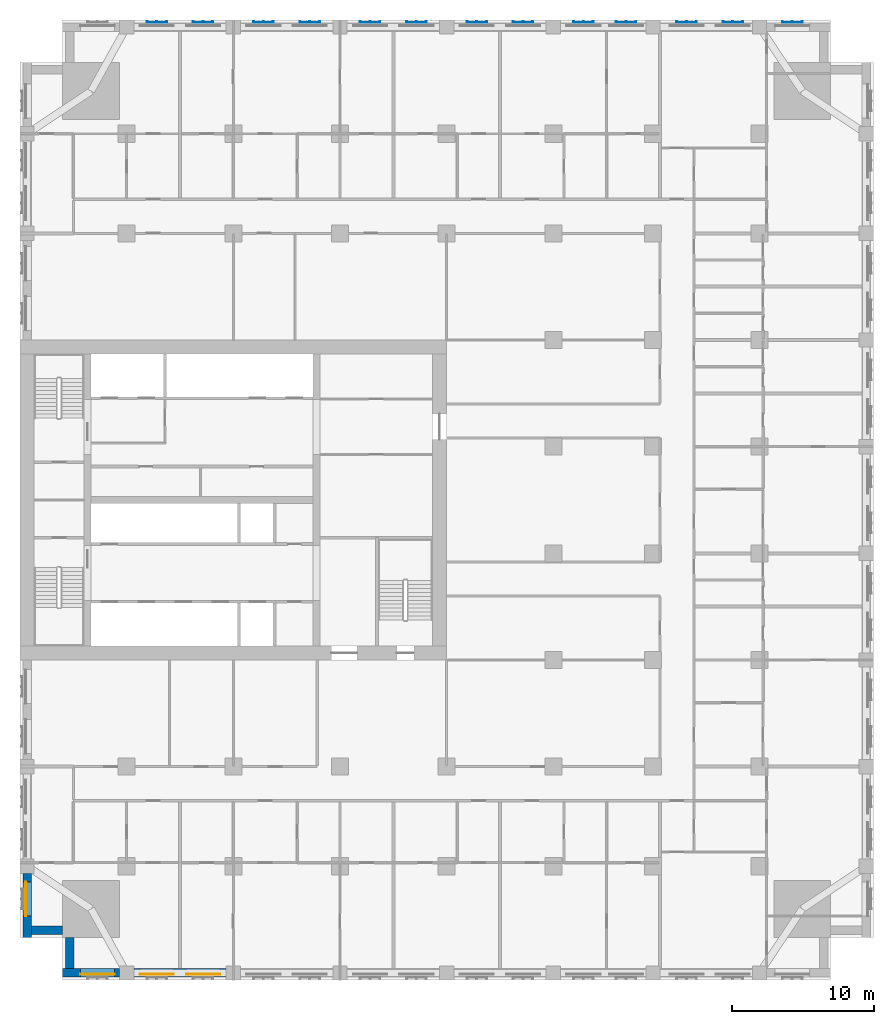
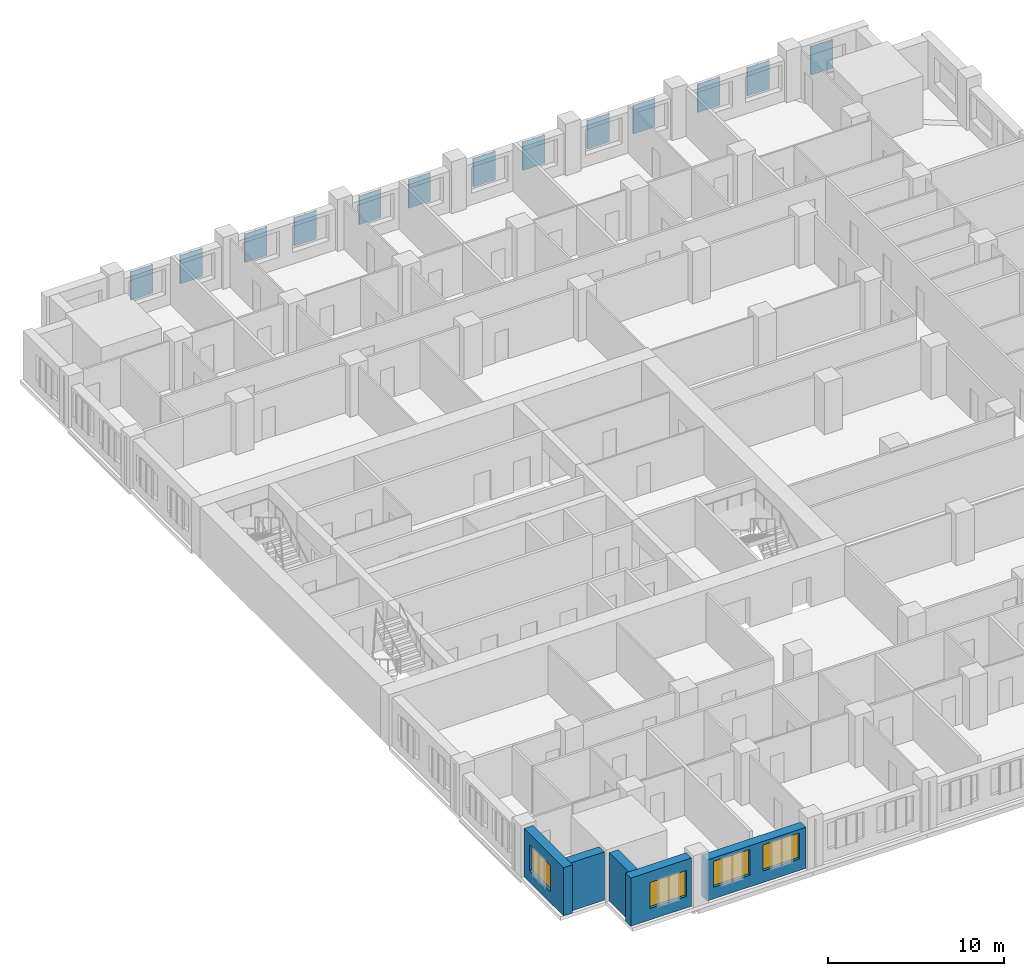
# One storey, part 3 of 14: 13 plates, 5 walls, 4 windows, 4 openings.
"""IFC4 building model written with IfcOpenShell, lengths in metres."""

from ifc_helpers import new_model, si_unit, direction, frame, frame_2d, origin, place, context, subcontext, project, spatial, polyline, rectangle, outline, extrude, material, layer, layer_set, type_object, element, fill, save


model = new_model("IFC4")

# Units and contexts
model_context = context("Model", 3, precision=1e-05, world=origin(), true_north=direction((0.0, 1.0)))
body_context = subcontext(model_context, "Body", "Model", "MODEL_VIEW")
ifc_project = project(units=[si_unit("LENGTHUNIT", "METRE"), si_unit("AREAUNIT", "SQUARE_METRE"), si_unit("VOLUMEUNIT", "CUBIC_METRE"), si_unit("PLANEANGLEUNIT", "RADIAN"), si_unit("MASSUNIT", "GRAM", prefix="KILO")], contexts=[model_context])

# Site, building, storey
site_placement = place(None, origin())
site = spatial("IfcSite", under=ifc_project, at=site_placement, CompositionType="ELEMENT")
building_placement = place(site_placement, origin())
building = spatial("IfcBuilding", under=site, at=building_placement, Name="Tamorin Gate", CompositionType="ELEMENT")
storey_placement = place(building_placement, frame((0.0, 0.0, 41.199951171875)))
storey = spatial("IfcBuildingStorey", under=building, at=storey_placement, Name="L08", CompositionType="ELEMENT", Elevation=41.199951171875)

# Plates
ifc_material_1 = material(Name="Perforated pale aluminium sheet", Category="aluminium")
ifc_layer_1 = layer(ifc_material_1, 0.0400390625)
ifc_layer_set_1 = layer_set([ifc_layer_1], Name="Pale metal solar screen 1440")
plate_type = type_object("IfcPlateType", Name="Pale metal solar screen 1440", PredefinedType="SHEET", material=ifc_layer_set_1)
plate_1_placement = place(storey_placement, frame((0.0, 0.0, 0.7099609375)))
element("IfcPlate", 1, at=plate_1_placement, inside=storey, type_object=plate_type, Name="Perforated solar screen", PredefinedType="SHEET", context=body_context, shape_type="SweptSolid", body=[
    extrude(outline(polyline([(85.02001953125, 104.840087890625), (85.02001953125, 104.800048828125), (84.9599609375, 104.800048828125), (84.330078125, 104.800048828125), (84.27001953125, 104.800048828125), (83.639892578125, 104.800048828125), (83.580078125, 104.800048828125), (83.580078125, 104.840087890625), (83.580078125, 104.89990234375), (83.639892578125, 104.89990234375), (83.639892578125, 104.840087890625), (84.27001953125, 104.840087890625), (84.27001953125, 104.89990234375), (84.330078125, 104.89990234375), (84.330078125, 104.840087890625), (84.9599609375, 104.840087890625), (84.9599609375, 104.89990234375), (85.02001953125, 104.89990234375), (85.02001953125, 104.840087890625)])), origin(), (0.0, 0.0, 1.0), 1.97998046875),
])
plate_2_placement = place(storey_placement, frame((0.0, 0.0, 0.7099609375)))
element("IfcPlate", 2, at=plate_2_placement, inside=storey, type_object=plate_type, Name="Perforated solar screen", PredefinedType="SHEET", context=body_context, shape_type="SweptSolid", body=[
    extrude(outline(polyline([(77.594970703125, 104.840087890625), (77.594970703125, 104.800048828125), (77.534912109375, 104.800048828125), (76.905029296875, 104.800048828125), (76.844970703125, 104.800048828125), (76.215087890625, 104.800048828125), (76.155029296875, 104.800048828125), (76.155029296875, 104.840087890625), (76.155029296875, 104.89990234375), (76.215087890625, 104.89990234375), (76.215087890625, 104.840087890625), (76.844970703125, 104.840087890625), (76.844970703125, 104.89990234375), (76.905029296875, 104.89990234375), (76.905029296875, 104.840087890625), (77.534912109375, 104.840087890625), (77.534912109375, 104.89990234375), (77.594970703125, 104.89990234375), (77.594970703125, 104.840087890625)])), origin(), (0.0, 0.0, 1.0), 1.97998046875),
])
plate_3_placement = place(storey_placement, frame((0.0, 0.0, 0.7099609375)))
element("IfcPlate", 3, at=plate_3_placement, inside=storey, type_object=plate_type, Name="Perforated solar screen", PredefinedType="SHEET", context=body_context, shape_type="SweptSolid", body=[
    extrude(outline(polyline([(80.844970703125, 104.840087890625), (80.844970703125, 104.800048828125), (80.784912109375, 104.800048828125), (80.155029296875, 104.800048828125), (80.094970703125, 104.800048828125), (79.465087890625, 104.800048828125), (79.405029296875, 104.800048828125), (79.405029296875, 104.800048828125), (79.405029296875, 104.840087890625), (79.405029296875, 104.840087890625), (79.405029296875, 104.89990234375), (79.465087890625, 104.89990234375), (79.465087890625, 104.840087890625), (80.094970703125, 104.840087890625), (80.094970703125, 104.89990234375), (80.155029296875, 104.89990234375), (80.155029296875, 104.840087890625), (80.784912109375, 104.840087890625), (80.784912109375, 104.89990234375), (80.844970703125, 104.89990234375), (80.844970703125, 104.840087890625)])), origin(), (0.0, 0.0, 1.0), 1.97998046875),
])
plate_4_placement = place(storey_placement, frame((0.0, 0.0, 0.7099609375)))
element("IfcPlate", 4, at=plate_4_placement, inside=storey, type_object=plate_type, Name="Perforated solar screen", PredefinedType="SHEET", context=body_context, shape_type="SweptSolid", body=[
    extrude(outline(polyline([(70.344970703125, 104.840087890625), (70.344970703125, 104.800048828125), (70.284912109375, 104.800048828125), (69.655029296875, 104.800048828125), (69.594970703125, 104.800048828125), (68.965087890625, 104.800048828125), (68.905029296875, 104.800048828125), (68.905029296875, 104.840087890625), (68.905029296875, 104.89990234375), (68.965087890625, 104.89990234375), (68.965087890625, 104.840087890625), (69.594970703125, 104.840087890625), (69.594970703125, 104.89990234375), (69.655029296875, 104.89990234375), (69.655029296875, 104.840087890625), (70.284912109375, 104.840087890625), (70.284912109375, 104.89990234375), (70.344970703125, 104.89990234375), (70.344970703125, 104.840087890625)])), origin(), (0.0, 0.0, 1.0), 1.97998046875),
])
plate_5_placement = place(storey_placement, frame((0.0, 0.0, 0.7099609375)))
element("IfcPlate", 5, at=plate_5_placement, inside=storey, type_object=plate_type, Name="Perforated solar screen", PredefinedType="SHEET", context=body_context, shape_type="SweptSolid", body=[
    extrude(outline(polyline([(73.344970703125, 104.840087890625), (73.344970703125, 104.800048828125), (73.284912109375, 104.800048828125), (72.655029296875, 104.800048828125), (72.594970703125, 104.800048828125), (71.965087890625, 104.800048828125), (71.905029296875, 104.800048828125), (71.905029296875, 104.840087890625), (71.905029296875, 104.89990234375), (71.965087890625, 104.89990234375), (71.965087890625, 104.840087890625), (72.594970703125, 104.840087890625), (72.594970703125, 104.89990234375), (72.655029296875, 104.89990234375), (72.655029296875, 104.840087890625), (73.284912109375, 104.840087890625), (73.284912109375, 104.89990234375), (73.344970703125, 104.89990234375), (73.344970703125, 104.840087890625)])), origin(), (0.0, 0.0, 1.0), 1.97998046875),
])
plate_6_placement = place(storey_placement, frame((0.0, 0.0, 0.7099609375)))
element("IfcPlate", 6, at=plate_6_placement, inside=storey, type_object=plate_type, Name="Perforated solar screen", PredefinedType="SHEET", context=body_context, shape_type="SweptSolid", body=[
    extrude(outline(polyline([(62.844970703125, 104.840087890625), (62.844970703125, 104.800048828125), (62.784912109375, 104.800048828125), (62.155029296875, 104.800048828125), (62.094970703125, 104.800048828125), (61.465087890625, 104.800048828125), (61.405029296875, 104.800048828125), (61.405029296875, 104.840087890625), (61.405029296875, 104.89990234375), (61.465087890625, 104.89990234375), (61.465087890625, 104.840087890625), (62.094970703125, 104.840087890625), (62.094970703125, 104.89990234375), (62.155029296875, 104.89990234375), (62.155029296875, 104.840087890625), (62.784912109375, 104.840087890625), (62.784912109375, 104.89990234375), (62.844970703125, 104.89990234375), (62.844970703125, 104.840087890625)])), origin(), (0.0, 0.0, 1.0), 1.97998046875),
])
plate_7_placement = place(storey_placement, frame((0.0, 0.0, 0.7099609375)))
element("IfcPlate", 7, at=plate_7_placement, inside=storey, type_object=plate_type, Name="Perforated solar screen", PredefinedType="SHEET", context=body_context, shape_type="SweptSolid", body=[
    extrude(outline(polyline([(66.094970703125, 104.840087890625), (66.094970703125, 104.800048828125), (66.034912109375, 104.800048828125), (65.405029296875, 104.800048828125), (65.344970703125, 104.800048828125), (64.715087890625, 104.800048828125), (64.655029296875, 104.800048828125), (64.655029296875, 104.840087890625), (64.655029296875, 104.89990234375), (64.715087890625, 104.89990234375), (64.715087890625, 104.840087890625), (65.344970703125, 104.840087890625), (65.344970703125, 104.89990234375), (65.405029296875, 104.89990234375), (65.405029296875, 104.840087890625), (66.034912109375, 104.840087890625), (66.034912109375, 104.89990234375), (66.094970703125, 104.89990234375), (66.094970703125, 104.840087890625)])), origin(), (0.0, 0.0, 1.0), 1.97998046875),
])
plate_8_placement = place(storey_placement, frame((0.0, 0.0, 0.7099609375)))
element("IfcPlate", 8, at=plate_8_placement, inside=storey, type_object=plate_type, Name="Perforated solar screen", PredefinedType="SHEET", context=body_context, shape_type="SweptSolid", body=[
    extrude(outline(polyline([(55.344970703125, 104.840087890625), (55.344970703125, 104.800048828125), (55.284912109375, 104.800048828125), (54.655029296875, 104.800048828125), (54.594970703125, 104.800048828125), (53.965087890625, 104.800048828125), (53.905029296875, 104.800048828125), (53.905029296875, 104.840087890625), (53.905029296875, 104.89990234375), (53.965087890625, 104.89990234375), (53.965087890625, 104.840087890625), (54.594970703125, 104.840087890625), (54.594970703125, 104.89990234375), (54.655029296875, 104.89990234375), (54.655029296875, 104.840087890625), (55.284912109375, 104.840087890625), (55.284912109375, 104.89990234375), (55.344970703125, 104.89990234375), (55.344970703125, 104.840087890625)])), origin(), (0.0, 0.0, 1.0), 1.97998046875),
])
plate_9_placement = place(storey_placement, frame((0.0, 0.0, 0.7099609375)))
element("IfcPlate", 9, at=plate_9_placement, inside=storey, type_object=plate_type, Name="Perforated solar screen", PredefinedType="SHEET", context=body_context, shape_type="SweptSolid", body=[
    extrude(outline(polyline([(58.594970703125, 104.840087890625), (58.594970703125, 104.800048828125), (58.534912109375, 104.800048828125), (57.905029296875, 104.800048828125), (57.844970703125, 104.800048828125), (57.215087890625, 104.800048828125), (57.155029296875, 104.800048828125), (57.155029296875, 104.840087890625), (57.155029296875, 104.89990234375), (57.215087890625, 104.89990234375), (57.215087890625, 104.840087890625), (57.844970703125, 104.840087890625), (57.844970703125, 104.89990234375), (57.905029296875, 104.89990234375), (57.905029296875, 104.840087890625), (58.534912109375, 104.840087890625), (58.534912109375, 104.89990234375), (58.594970703125, 104.89990234375), (58.594970703125, 104.840087890625)])), origin(), (0.0, 0.0, 1.0), 1.97998046875),
])
plate_10_placement = place(storey_placement, frame((0.0, 0.0, 0.7099609375)))
element("IfcPlate", 10, at=plate_10_placement, inside=storey, type_object=plate_type, Name="Perforated solar screen", PredefinedType="SHEET", context=body_context, shape_type="SweptSolid", body=[
    extrude(outline(polyline([(47.844970703125, 104.840087890625), (47.844970703125, 104.800048828125), (47.784912109375, 104.800048828125), (47.155029296875, 104.800048828125), (47.094970703125, 104.800048828125), (46.465087890625, 104.800048828125), (46.405029296875, 104.800048828125), (46.405029296875, 104.840087890625), (46.405029296875, 104.89990234375), (46.465087890625, 104.89990234375), (46.465087890625, 104.840087890625), (47.094970703125, 104.840087890625), (47.094970703125, 104.89990234375), (47.155029296875, 104.89990234375), (47.155029296875, 104.840087890625), (47.784912109375, 104.840087890625), (47.784912109375, 104.89990234375), (47.844970703125, 104.89990234375), (47.844970703125, 104.840087890625)])), origin(), (0.0, 0.0, 1.0), 1.97998046875),
])
plate_11_placement = place(storey_placement, frame((0.0, 0.0, 0.7099609375)))
element("IfcPlate", 11, at=plate_11_placement, inside=storey, type_object=plate_type, Name="Perforated solar screen", PredefinedType="SHEET", context=body_context, shape_type="SweptSolid", body=[
    extrude(outline(polyline([(51.094970703125, 104.840087890625), (51.094970703125, 104.800048828125), (51.034912109375, 104.800048828125), (50.405029296875, 104.800048828125), (50.344970703125, 104.800048828125), (49.715087890625, 104.800048828125), (49.655029296875, 104.800048828125), (49.655029296875, 104.840087890625), (49.655029296875, 104.89990234375), (49.715087890625, 104.89990234375), (49.715087890625, 104.840087890625), (50.344970703125, 104.840087890625), (50.344970703125, 104.89990234375), (50.405029296875, 104.89990234375), (50.405029296875, 104.840087890625), (51.034912109375, 104.840087890625), (51.034912109375, 104.89990234375), (51.094970703125, 104.89990234375), (51.094970703125, 104.840087890625)])), origin(), (0.0, 0.0, 1.0), 1.97998046875),
])
plate_12_placement = place(storey_placement, frame((0.0, 0.0, 0.7099609375)))
element("IfcPlate", 12, at=plate_12_placement, inside=storey, type_object=plate_type, Name="Perforated solar screen", PredefinedType="SHEET", context=body_context, shape_type="SweptSolid", body=[
    extrude(outline(polyline([(40.344970703125, 104.840087890625), (40.344970703125, 104.800048828125), (40.284912109375, 104.800048828125), (39.655029296875, 104.800048828125), (39.594970703125, 104.800048828125), (38.965087890625, 104.800048828125), (38.905029296875, 104.800048828125), (38.905029296875, 104.840087890625), (38.905029296875, 104.89990234375), (38.965087890625, 104.89990234375), (38.965087890625, 104.840087890625), (39.594970703125, 104.840087890625), (39.594970703125, 104.89990234375), (39.655029296875, 104.89990234375), (39.655029296875, 104.840087890625), (40.284912109375, 104.840087890625), (40.284912109375, 104.89990234375), (40.344970703125, 104.89990234375), (40.344970703125, 104.840087890625)])), origin(), (0.0, 0.0, 1.0), 1.97998046875),
])
plate_13_placement = place(storey_placement, frame((0.0, 0.0, 0.7099609375)))
element("IfcPlate", 13, at=plate_13_placement, inside=storey, type_object=plate_type, Name="Perforated solar screen", PredefinedType="SHEET", context=body_context, shape_type="SweptSolid", body=[
    extrude(outline(polyline([(43.594970703125, 104.840087890625), (43.594970703125, 104.800048828125), (43.534912109375, 104.800048828125), (42.905029296875, 104.800048828125), (42.844970703125, 104.800048828125), (42.215087890625, 104.800048828125), (42.155029296875, 104.800048828125), (42.155029296875, 104.840087890625), (42.155029296875, 104.89990234375), (42.215087890625, 104.89990234375), (42.215087890625, 104.840087890625), (42.844970703125, 104.840087890625), (42.844970703125, 104.89990234375), (42.905029296875, 104.89990234375), (42.905029296875, 104.840087890625), (43.534912109375, 104.840087890625), (43.534912109375, 104.89990234375), (43.594970703125, 104.89990234375), (43.594970703125, 104.840087890625)])), origin(), (0.0, 0.0, 1.0), 1.97998046875),
])

# Wall, opening, window
ifc_material_2 = material(Name="Precast concrete C40/50", Category="concrete")
ifc_layer_2 = layer(ifc_material_2, 0.60009765625)
ifc_layer_set_2 = layer_set([ifc_layer_2], Name="Precast concrete C40/50")
wall_type = type_object("IfcWallType", Name="Board-marked concrete facade panel 600", PredefinedType="SOLIDWALL", material=ifc_layer_set_2)
wall_1_placement = place(storey_placement, frame((33.0, 38.0, 0.0), z_axis=(0.0, 0.0, 1.0), x_axis=(1.0, 0.0, 0.0)))
wall_1 = element("IfcWall", 14, at=wall_1_placement, inside=storey, type_object=wall_type, Name="Facade panel", PredefinedType="SOLIDWALL", context=body_context, shape_type="SweptSolid", body=[
    extrude(rectangle(XDim=4.0, YDim=0.60009765625, at=frame_2d((2.0, 0.0))), origin(), (0.0, 0.0, 1.0), 3.35009765625),
])
opening_1_placement = place(wall_1_placement, frame((1.25, 0.0, 0.800048828125)))
opening_1 = element("IfcOpeningElement", 15, at=opening_1_placement, cuts=wall_1, Name="Opening WN1", PredefinedType="OPENING", context=body_context, shape_type="SweptSolid", body=[
    extrude(rectangle(XDim=2.39990234375, YDim=1.800048828125, at=frame_2d((1.199951171875, 0.89990234375))), frame((0.0, 0.31005859375, 0.0), z_axis=(0.0, -1.0, 0.0), x_axis=(1.0, 0.0, 0.0)), (0.0, 0.0, 1.0), 0.6201171875),
])
ifc_material_3 = material(Name="Clear glass in aluminium frame", Category="aluminium")
window_type = type_object("IfcWindowType", Name="Deep-set window 2400x1800", PartitioningType="SINGLE_PANEL", PredefinedType="WINDOW", material=ifc_material_3)
window_1_placement = place(opening_1_placement, origin())
window_1 = element("IfcWindow", 16, at=window_1_placement, inside=storey, type_object=window_type, Name="Deep-set window", OverallHeight=1.800048828125, OverallWidth=2.39990234375, PartitioningType="SINGLE_PANEL", PredefinedType="WINDOW", context=body_context, shape_type="SweptSolid", body=[
    extrude(rectangle(XDim=2.39990234375, YDim=1.800048828125, at=frame_2d((1.199951171875, 0.89990234375))), frame((0.0, -0.070068359375, 0.0), z_axis=(0.0, -1.0, 0.0), x_axis=(1.0, 0.0, 0.0)), (0.0, 0.0, 1.0), 0.06005859375),
])
fill(opening_1, window_1)

# Wall, openings, windows
wall_2_placement = place(storey_placement, frame((38.0, 38.0, 0.0), z_axis=(0.0, 0.0, 1.0), x_axis=(1.0, 0.0, 0.0)))
wall_2 = element("IfcWall", 17, at=wall_2_placement, inside=storey, type_object=wall_type, Name="Facade panel", PredefinedType="SOLIDWALL", context=body_context, shape_type="SweptSolid", body=[
    extrude(rectangle(XDim=6.5, YDim=0.60009765625, at=frame_2d((3.25, 0.0))), origin(), (0.0, 0.0, 1.0), 2.85009765625),
])
opening_2_placement = place(wall_2_placement, frame((0.425048828125, 0.0, 0.800048828125)))
opening_2 = element("IfcOpeningElement", 18, at=opening_2_placement, cuts=wall_2, Name="Opening WN1", PredefinedType="OPENING", context=body_context, shape_type="SweptSolid", body=[
    extrude(rectangle(XDim=2.39990234375, YDim=1.800048828125, at=frame_2d((1.199951171875, 0.89990234375))), frame((0.0, 0.31005859375, 0.0), z_axis=(0.0, -1.0, 0.0), x_axis=(1.0, 0.0, 0.0)), (0.0, 0.0, 1.0), 0.6201171875),
])
opening_3_placement = place(wall_2_placement, frame((3.675048828125, 0.0, 0.800048828125)))
opening_3 = element("IfcOpeningElement", 19, at=opening_3_placement, cuts=wall_2, Name="Opening WN1", PredefinedType="OPENING", context=body_context, shape_type="SweptSolid", body=[
    extrude(rectangle(XDim=2.39990234375, YDim=1.800048828125, at=frame_2d((1.199951171875, 0.89990234375))), frame((0.0, 0.31005859375, 0.0), z_axis=(0.0, -1.0, 0.0), x_axis=(1.0, 0.0, 0.0)), (0.0, 0.0, 1.0), 0.6201171875),
])
window_2_placement = place(opening_2_placement, origin())
window_2 = element("IfcWindow", 20, at=window_2_placement, inside=storey, type_object=window_type, Name="Deep-set window", OverallHeight=1.800048828125, OverallWidth=2.39990234375, PartitioningType="SINGLE_PANEL", PredefinedType="WINDOW", context=body_context, shape_type="SweptSolid", body=[
    extrude(rectangle(XDim=2.39990234375, YDim=1.800048828125, at=frame_2d((1.199951171875, 0.89990234375))), frame((0.0, -0.070068359375, 0.0), z_axis=(0.0, -1.0, 0.0), x_axis=(1.0, 0.0, 0.0)), (0.0, 0.0, 1.0), 0.06005859375),
])
fill(opening_2, window_2)
window_3_placement = place(opening_3_placement, origin())
window_3 = element("IfcWindow", 21, at=window_3_placement, inside=storey, type_object=window_type, Name="Deep-set window", OverallHeight=1.800048828125, OverallWidth=2.39990234375, PartitioningType="SINGLE_PANEL", PredefinedType="WINDOW", context=body_context, shape_type="SweptSolid", body=[
    extrude(rectangle(XDim=2.39990234375, YDim=1.800048828125, at=frame_2d((1.199951171875, 0.89990234375))), frame((0.0, -0.070068359375, 0.0), z_axis=(0.0, -1.0, 0.0), x_axis=(1.0, 0.0, 0.0)), (0.0, 0.0, 1.0), 0.06005859375),
])
fill(opening_3, window_3)

# Wall, opening, window
wall_3_placement = place(storey_placement, frame((30.5, 45.0, 0.0), z_axis=(0.0, 0.0, 1.0), x_axis=(0.0, -1.0, 0.0)))
wall_3 = element("IfcWall", 22, at=wall_3_placement, inside=storey, type_object=wall_type, Name="Facade panel", PredefinedType="SOLIDWALL", context=body_context, shape_type="SweptSolid", body=[
    extrude(rectangle(XDim=4.5, YDim=0.60009765625, at=frame_2d((2.25, 0.0))), origin(), (0.0, 0.0, 1.0), 3.35009765625),
])
opening_4_placement = place(wall_3_placement, frame((0.60009765625, 0.0, 0.800048828125)))
opening_4 = element("IfcOpeningElement", 23, at=opening_4_placement, cuts=wall_3, Name="Opening WN1", PredefinedType="OPENING", context=body_context, shape_type="SweptSolid", body=[
    extrude(rectangle(XDim=2.39990234375, YDim=1.800048828125, at=frame_2d((1.199951171875, 0.89990234375))), frame((0.0, 0.31005859375, 0.0), z_axis=(0.0, -1.0, 0.0), x_axis=(1.0, 0.0, 0.0)), (0.0, 0.0, 1.0), 0.6201171875),
])
window_4_placement = place(opening_4_placement, origin())
window_4 = element("IfcWindow", 24, at=window_4_placement, inside=storey, type_object=window_type, Name="Deep-set window", OverallHeight=1.800048828125, OverallWidth=2.39990234375, PartitioningType="SINGLE_PANEL", PredefinedType="WINDOW", context=body_context, shape_type="SweptSolid", body=[
    extrude(rectangle(XDim=2.39990234375, YDim=1.800048828125, at=frame_2d((1.199951171875, 0.89990234375))), frame((0.0, -0.070068359375, 0.0), z_axis=(0.0, -1.0, 0.0), x_axis=(1.0, 0.0, 0.0)), (0.0, 0.0, 1.0), 0.06005859375),
])
fill(opening_4, window_4)

# Walls
for number, where, z_axis, x_axis, name in (
    (25, (30.800048828125, 41.0, 0.0), (0.0, 0.0, 1.0), (1.0, 0.0, 0.0), "Facade panel"),
    (26, (33.5, 40.5, 0.0), (0.0, 0.0, 1.0), (0.0, -1.0, 0.0), "Facade panel"),
):
    element("IfcWall", number, at=place(storey_placement, frame(where, z_axis=z_axis, x_axis=x_axis)), inside=storey, type_object=wall_type, Name=name, PredefinedType="SOLIDWALL", context=body_context, shape_type="SweptSolid", body=[
        extrude(rectangle(XDim=2.199951171875, YDim=0.60009765625, at=frame_2d((1.10009765625, 0.0))), origin(), (0.0, 0.0, 1.0), 3.35009765625),
    ])

save(model, "model.ifc")
